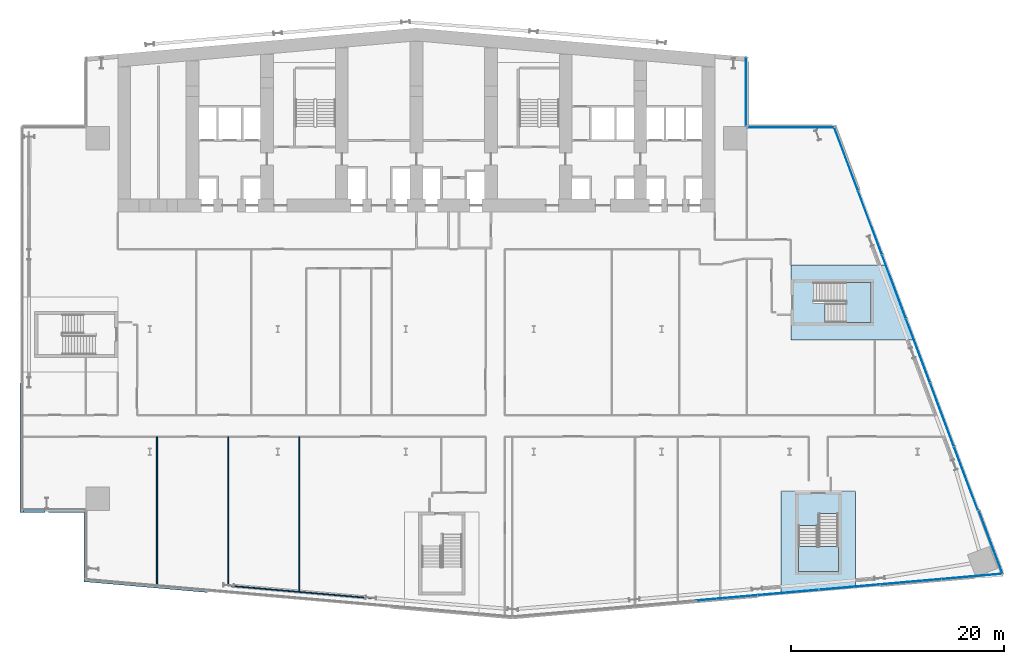
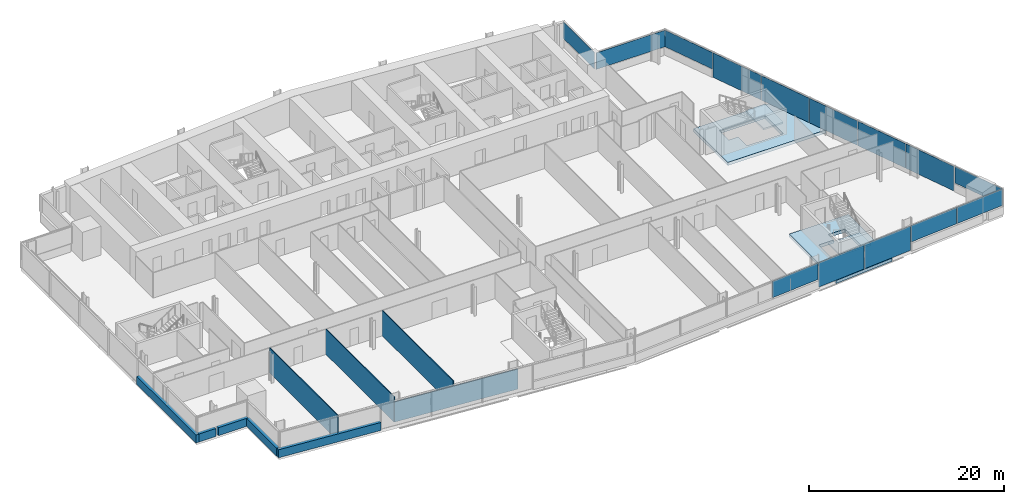
# One storey, part 12 of 24: 14 plates, 9 walls, 4 slabs, 6 elements without a shape of their own.
"""IFC4 building model written with IfcOpenShell, lengths in metres."""

from ifc_helpers import new_model, si_unit, direction, frame, frame_2d, origin, origin_2d, place, context, subcontext, project, spatial, polyline, rectangle, outline, extrude, material, layer, layer_set, type_object, element, aggregate, save


model = new_model("IFC4")

# Units and contexts
model_context = context("Model", 3, precision=1e-05, world=origin(), true_north=direction((0.0, 1.0)))
body_context = subcontext(model_context, "Body", "Model", "MODEL_VIEW")
ifc_project = project(units=[si_unit("LENGTHUNIT", "METRE"), si_unit("AREAUNIT", "SQUARE_METRE"), si_unit("VOLUMEUNIT", "CUBIC_METRE"), si_unit("PLANEANGLEUNIT", "RADIAN"), si_unit("MASSUNIT", "GRAM", prefix="KILO")], contexts=[model_context])

# Site, building, storey
site_placement = place(None, origin())
site = spatial("IfcSite", under=ifc_project, at=site_placement, CompositionType="ELEMENT")
building_placement = place(site_placement, origin())
building = spatial("IfcBuilding", under=site, at=building_placement, Name="Wharfspan Tower", CompositionType="ELEMENT")
storey_placement = place(building_placement, frame((0.0, 0.0, 88.300049)))
storey = spatial("IfcBuildingStorey", under=building, at=storey_placement, Name="L19", CompositionType="ELEMENT", Elevation=88.300049)

# Curtain wall, plates
ifc_material_1 = material(Name="Aluminium 6063-T6", Category="aluminium")
curtain_wall_type_1 = type_object("IfcCurtainWallType", Name="CURTAIN WALL FACETED FRONT", PredefinedType="NOTDEFINED", material=ifc_material_1)
curtain_wall_1_placement = place(storey_placement, origin())
curtain_wall_1 = element("IfcCurtainWall", 1, at=curtain_wall_1_placement, inside=storey, type_object=curtain_wall_type_1, Name="Curtain wall S2", PredefinedType="NOTDEFINED")
ifc_material_2 = material(Name="Glass clear low-iron double glazing", Category="glass")
ifc_layer_1 = layer(ifc_material_2, 0.040039)
ifc_layer_set_1 = layer_set([ifc_layer_1], Name="Glass clear low-iron double glazing")
plate_type_1 = type_object("IfcPlateType", Name="GLASS PANEL FACETED FRONT 40", PredefinedType="CURTAIN_PANEL", material=ifc_layer_set_1)
plate_1_placement = place(storey_placement, frame((66.119873, -2.204102, 1.0), z_axis=(0.0, 0.0, 1.0), x_axis=(0.996197, 0.087156, 0.0)))
plate_1 = element("IfcPlate", 2, at=plate_1_placement, type_object=plate_type_1, Name="Curtain wall S2 panel 4", PredefinedType="CURTAIN_PANEL", context=body_context, shape_type="SweptSolid", body=[
    extrude(rectangle(XDim=5.711914, YDim=0.040039, at=origin_2d()), origin(), (0.0, 0.0, 1.0), 2.070068),
])
plate_2_placement = place(storey_placement, frame((83.369873, -0.694824, 1.0), z_axis=(0.0, 0.0, 1.0), x_axis=(0.996197, 0.087156, 0.0)))
plate_2 = element("IfcPlate", 3, at=plate_2_placement, type_object=plate_type_1, Name="Curtain wall S2 panel 7", PredefinedType="CURTAIN_PANEL", context=body_context, shape_type="SweptSolid", body=[
    extrude(rectangle(XDim=5.711914, YDim=0.040039, at=origin_2d()), origin(), (0.0, 0.0, 1.0), 2.070068),
])
plate_3_placement = place(storey_placement, frame((89.104736, -0.193115, 1.0), z_axis=(0.0, 0.0, 1.0), x_axis=(0.996197, 0.087156, 0.0)))
plate_3 = element("IfcPlate", 4, at=plate_3_placement, type_object=plate_type_1, Name="Curtain wall S2 panel 8", PredefinedType="CURTAIN_PANEL", context=body_context, shape_type="SweptSolid", body=[
    extrude(rectangle(XDim=5.681885, YDim=0.040039, at=origin_2d()), origin(), (0.0, 0.0, 1.0), 2.070068),
])

curtain_wall_type_2 = type_object("IfcCurtainWallType", Name="CURTAIN WALL PROW AND END", PredefinedType="NOTDEFINED", material=ifc_material_1)
curtain_wall_2_placement = place(storey_placement, origin())
curtain_wall_2 = element("IfcCurtainWall", 5, at=curtain_wall_2_placement, inside=storey, type_object=curtain_wall_type_2, Name="Curtain wall E", PredefinedType="NOTDEFINED")
ifc_layer_2 = layer(ifc_material_2, 0.040039)
ifc_layer_set_2 = layer_set([ifc_layer_2], Name="Glass clear low-iron double glazing")
plate_type_2 = type_object("IfcPlateType", Name="GLASS PANEL PROW AND END 40", PredefinedType="CURTAIN_PANEL", material=ifc_layer_set_2)
plate_4_placement = place(storey_placement, frame((90.869629, 3.01416, 1.0), z_axis=(0.0, 0.0, 1.0), x_axis=(-0.351123, 0.936328, 0.0)))
plate_4 = element("IfcPlate", 6, at=plate_4_placement, type_object=plate_type_2, Name="Curtain wall E panel 1", PredefinedType="CURTAIN_PANEL", context=body_context, shape_type="SweptSolid", body=[
    extrude(rectangle(XDim=6.318115, YDim=0.040039, at=origin_2d()), origin(), (0.0, 0.0, 1.0), 2.070068),
])
plate_5_placement = place(storey_placement, frame((77.30542, 38.957764, 1.0), z_axis=(0.0, 0.0, 1.0), x_axis=(-0.351123, 0.936328, 0.0)))
plate_5 = element("IfcPlate", 7, at=plate_5_placement, type_object=plate_type_2, Name="Curtain wall E panel 7", PredefinedType="CURTAIN_PANEL", context=body_context, shape_type="SweptSolid", body=[
    extrude(rectangle(XDim=6.318115, YDim=0.040039, at=origin_2d()), origin(), (0.0, 0.0, 1.0), 2.070068),
])

# Curtain wall, plate
curtain_wall_3_placement = place(storey_placement, origin())
curtain_wall_3 = element("IfcCurtainWall", 8, at=curtain_wall_3_placement, inside=storey, type_object=curtain_wall_type_2, Name="Curtain wall NRE-H", PredefinedType="NOTDEFINED")
plate_6_placement = place(storey_placement, frame((72.125, 41.919922, 1.0), z_axis=(0.0, 0.0, 1.0), x_axis=(-1.0, 0.0, 0.0)))
plate_6 = element("IfcPlate", 9, at=plate_6_placement, type_object=plate_type_2, Name="Curtain wall NRE-H panel 1", PredefinedType="CURTAIN_PANEL", context=body_context, shape_type="SweptSolid", body=[
    extrude(rectangle(XDim=8.129883, YDim=0.040039, at=origin_2d()), origin(), (0.0, 0.0, 1.0), 2.070068),
])
aggregate(curtain_wall_3, [plate_6])

curtain_wall_4_placement = place(storey_placement, origin())
curtain_wall_4 = element("IfcCurtainWall", 10, at=curtain_wall_4_placement, inside=storey, type_object=curtain_wall_type_2, Name="Curtain wall NRE-V", PredefinedType="NOTDEFINED")
plate_7_placement = place(storey_placement, frame((67.919922, 45.262451, 1.0), z_axis=(0.0, 0.0, 1.0), x_axis=(0.0, 1.0, 0.0)))
plate_7 = element("IfcPlate", 11, at=plate_7_placement, type_object=plate_type_2, Name="Curtain wall NRE-V panel 1", PredefinedType="CURTAIN_PANEL", context=body_context, shape_type="SweptSolid", body=[
    extrude(rectangle(XDim=6.405029, YDim=0.040039, at=origin_2d()), origin(), (0.0, 0.0, 1.0), 2.070068),
])
aggregate(curtain_wall_4, [plate_7])

# Plate
ifc_material_3 = material(Name="Aluminium composite opaque insulated panel", Category="aluminium")
ifc_layer_3 = layer(ifc_material_3, 0.040039)
ifc_layer_set_3 = layer_set([ifc_layer_3], Name="Aluminium composite opaque insulated panel")
plate_type_3 = type_object("IfcPlateType", Name="INFILL PANEL FACETED FRONT OPAQUE 40", PredefinedType="SHEET", material=ifc_layer_set_3)
plate_8_placement = place(storey_placement, frame((71.869873, -1.700928, 0.0), z_axis=(0.0, 0.0, 1.0), x_axis=(0.996197, 0.087156, 0.0)))
plate_8 = element("IfcPlate", 12, at=plate_8_placement, type_object=plate_type_3, Name="Curtain wall S2 panel 5", PredefinedType="SHEET", context=body_context, shape_type="SweptSolid", body=[
    extrude(rectangle(XDim=5.711914, YDim=0.040039, at=origin_2d()), origin(), (0.0, 0.0, 1.0), 3.070068),
])

plate_9_placement = place(storey_placement, frame((77.619873, -1.197998, 0.0), z_axis=(0.0, 0.0, 1.0), x_axis=(0.996197, 0.087156, 0.0)))
plate_9 = element("IfcPlate", 13, at=plate_9_placement, type_object=plate_type_3, Name="Curtain wall S2 panel 6", PredefinedType="SHEET", context=body_context, shape_type="SweptSolid", body=[
    extrude(rectangle(XDim=5.711914, YDim=0.040039, at=origin_2d()), origin(), (0.0, 0.0, 1.0), 3.070068),
])

aggregate(curtain_wall_1, [plate_1, plate_8, plate_9, plate_2, plate_3])

ifc_layer_4 = layer(ifc_material_3, 0.040039)
ifc_layer_set_4 = layer_set([ifc_layer_4], Name="Aluminium composite opaque insulated panel")
plate_type_4 = type_object("IfcPlateType", Name="INFILL PANEL PROW AND END OPAQUE 40", PredefinedType="SHEET", material=ifc_layer_set_4)
plate_10_placement = place(storey_placement, frame((88.550049, 8.971924, 0.0), z_axis=(0.0, 0.0, 1.0), x_axis=(-0.351123, 0.936328, 0.0)))
plate_10 = element("IfcPlate", 14, at=plate_10_placement, type_object=plate_type_4, Name="Curtain wall E panel 2", PredefinedType="SHEET", context=body_context, shape_type="SweptSolid", body=[
    extrude(rectangle(XDim=6.3479, YDim=0.040039, at=origin_2d()), origin(), (0.0, 0.0, 1.0), 3.070068),
])

plate_11_placement = place(storey_placement, frame((86.300049, 14.971924, 0.0), z_axis=(0.0, 0.0, 1.0), x_axis=(-0.351123, 0.936328, 0.0)))
plate_11 = element("IfcPlate", 15, at=plate_11_placement, type_object=plate_type_4, Name="Curtain wall E panel 3", PredefinedType="SHEET", context=body_context, shape_type="SweptSolid", body=[
    extrude(rectangle(XDim=6.3479, YDim=0.040039, at=origin_2d()), origin(), (0.0, 0.0, 1.0), 3.070068),
])

plate_12_placement = place(storey_placement, frame((84.050049, 20.971924, 0.0), z_axis=(0.0, 0.0, 1.0), x_axis=(-0.351123, 0.936328, 0.0)))
plate_12 = element("IfcPlate", 16, at=plate_12_placement, type_object=plate_type_4, Name="Curtain wall E panel 4", PredefinedType="SHEET", context=body_context, shape_type="SweptSolid", body=[
    extrude(rectangle(XDim=6.3479, YDim=0.040039, at=origin_2d()), origin(), (0.0, 0.0, 1.0), 3.070068),
])

plate_13_placement = place(storey_placement, frame((81.800049, 26.971924, 0.0), z_axis=(0.0, 0.0, 1.0), x_axis=(-0.351123, 0.936328, 0.0)))
plate_13 = element("IfcPlate", 17, at=plate_13_placement, type_object=plate_type_4, Name="Curtain wall E panel 5", PredefinedType="SHEET", context=body_context, shape_type="SweptSolid", body=[
    extrude(rectangle(XDim=6.3479, YDim=0.040039, at=origin_2d()), origin(), (0.0, 0.0, 1.0), 3.070068),
])

plate_14_placement = place(storey_placement, frame((79.550049, 32.971924, 0.0), z_axis=(0.0, 0.0, 1.0), x_axis=(-0.351123, 0.936328, 0.0)))
plate_14 = element("IfcPlate", 18, at=plate_14_placement, type_object=plate_type_4, Name="Curtain wall E panel 6", PredefinedType="SHEET", context=body_context, shape_type="SweptSolid", body=[
    extrude(rectangle(XDim=6.3479, YDim=0.040039, at=origin_2d()), origin(), (0.0, 0.0, 1.0), 3.070068),
])

aggregate(curtain_wall_2, [plate_4, plate_10, plate_11, plate_12, plate_13, plate_14, plate_5])

# Slabs
ifc_material_4 = material(Name="Concrete C40/50", Category="concrete")
ifc_layer_5 = layer(ifc_material_4, 0.399902)
ifc_layer_set_5 = layer_set([ifc_layer_5], Name="Concrete C40/50")
slab_type_1 = type_object("IfcSlabType", Name="Post-tensioned flat slab 400", PredefinedType="FLOOR", material=ifc_layer_set_5)
slab_1_placement = place(storey_placement, frame((0.0, 0.0, -0.400146)))
element("IfcSlab", 19, at=slab_1_placement, inside=storey, type_object=slab_type_1, Name="Core floor slab L19 part 5", PredefinedType="FLOOR", context=body_context, shape_type="SweptSolid", body=[
    extrude(outline(polyline([(78.192383, 7.791992), (76.867432, 7.791992), (72.517578, 7.791992), (71.192383, 7.791992), (71.192383, -1.820312), (78.192383, -1.208008), (78.192383, 7.791992)]), holes=[polyline([(76.567627, 5.694092), (76.567871, 5.694092), (76.568115, 5.693848), (76.568115, 5.693848), (76.568359, 5.693848), (76.568604, 5.693604), (76.568604, 5.693604), (76.568848, 5.693359), (76.569092, 5.693359), (76.569092, 5.693115), (76.569092, 5.692871), (76.569336, 5.692871), (76.569336, 5.692627), (76.569336, 5.692383), (76.56958, 5.692139), (76.56958, 5.691895), (76.56958, 0.291992), (76.56958, 0.291748), (76.569336, 0.291504), (76.569336, 0.291504), (76.569336, 0.29126), (76.569092, 0.291016), (76.569092, 0.291016), (76.569092, 0.290771), (76.568848, 0.290527), (76.568604, 0.290527), (76.568604, 0.290283), (76.568359, 0.290283), (76.568115, 0.290283), (76.568115, 0.290039), (76.567871, 0.290039), (76.567627, 0.290039), (76.567383, 0.290039), (72.817383, 0.290039), (72.817383, 0.290039), (72.817139, 0.290039), (72.816895, 0.290039), (72.81665, 0.290283), (72.816406, 0.290283), (72.816406, 0.290283), (72.816162, 0.290527), (72.816162, 0.290527), (72.815918, 0.290771), (72.815918, 0.291016), (72.815674, 0.291016), (72.815674, 0.29126), (72.815674, 0.291504), (72.81543, 0.291504), (72.81543, 0.291748), (72.81543, 0.291992), (72.81543, 5.691895), (72.81543, 5.692139), (72.81543, 5.692383), (72.815674, 5.692627), (72.815674, 5.692871), (72.815674, 5.692871), (72.815918, 5.693115), (72.815918, 5.693359), (72.816162, 5.693359), (72.816162, 5.693604), (72.816406, 5.693604), (72.816406, 5.693848), (72.816406, 4.571045), (74.618408, 4.571045), (74.618408, 5.694092), (76.567383, 5.694092), (76.567627, 5.694092)])]), origin(), (0.0, 0.0, 1.0), 0.400146),
])
slab_2_placement = place(storey_placement, frame((0.0, 0.0, -0.400146)))
element("IfcSlab", 20, at=slab_2_placement, inside=storey, type_object=slab_type_1, Name="Core floor slab L19 part 6", PredefinedType="FLOOR", context=body_context, shape_type="SweptSolid", body=[
    extrude(outline(polyline([(81.125, 29.0), (72.125, 29.0), (72.125, 27.675049), (72.125, 23.324951), (72.125, 22.0), (83.75, 22.0), (81.125, 29.0)]), holes=[polyline([(74.2229, 27.375244), (74.2229, 27.375488), (74.223145, 27.375488), (74.223145, 27.375732), (74.223145, 27.375977), (74.223389, 27.376221), (74.223389, 27.376221), (74.223633, 27.376465), (74.223633, 27.376465), (74.223877, 27.376709), (74.224121, 27.376709), (74.224121, 27.376709), (74.224365, 27.376953), (74.224609, 27.376953), (74.224854, 27.376953), (74.225098, 27.376953), (79.625, 27.376953), (79.625244, 27.376953), (79.625488, 27.376953), (79.625488, 27.376953), (79.625732, 27.376709), (79.625977, 27.376709), (79.626221, 27.376709), (79.626221, 27.376465), (79.626465, 27.376465), (79.626465, 27.376221), (79.626709, 27.376221), (79.626709, 27.375977), (79.626709, 27.375732), (79.626953, 27.375488), (79.626953, 27.375488), (79.626953, 27.375244), (79.626953, 27.375), (79.626953, 23.625), (79.626953, 23.624756), (79.626953, 23.624512), (79.626953, 23.624512), (79.626709, 23.624268), (79.626709, 23.624023), (79.626709, 23.623779), (79.626465, 23.623779), (79.626465, 23.623535), (79.626221, 23.623535), (79.626221, 23.623291), (79.625977, 23.623291), (79.625732, 23.623291), (79.625488, 23.623047), (79.625488, 23.623047), (79.625244, 23.623047), (79.625, 23.623047), (74.225098, 23.623047), (74.224854, 23.623047), (74.224609, 23.623047), (74.224365, 23.623047), (74.224121, 23.623291), (74.224121, 23.623291), (74.223877, 23.623291), (74.223633, 23.623535), (74.223633, 23.623535), (74.223389, 23.623779), (74.223389, 23.623779), (74.223389, 23.624023), (75.345947, 23.624023), (75.345947, 25.426025), (74.2229, 25.426025), (74.2229, 27.375), (74.2229, 27.375244)])]), origin(), (0.0, 0.0, 1.0), 0.400146),
])

# Stair, slab
stair_type = type_object("IfcStairType", Name="Half-turn stair 20 risers 180 mm", PredefinedType="HALF_TURN_STAIR", material=ifc_material_4)
stair_1_placement = place(storey_placement, origin())
stair_1 = element("IfcStair", 21, at=stair_1_placement, inside=storey, type_object=stair_type, Name="L19 stair ST5", PredefinedType="HALF_TURN_STAIR")
ifc_layer_6 = layer(ifc_material_4, 0.199951)
ifc_layer_set_6 = layer_set([ifc_layer_6], Name="Concrete C40/50")
slab_type_2 = type_object("IfcSlabType", Name="Stair landing 200", PredefinedType="LANDING", material=ifc_layer_set_6)
slab_3_placement = place(storey_placement, frame((0.0, 0.0, 1.239746)))
slab_3 = element("IfcSlab", 22, at=slab_3_placement, type_object=slab_type_2, Name="ST5 landing 1", PredefinedType="LANDING", context=body_context, shape_type="SweptSolid", body=[
    extrude(outline(polyline([(72.817383, 2.612061), (72.817383, 0.291992), (76.567383, 0.291992), (76.567383, 2.612061), (72.817383, 2.612061)])), origin(), (0.0, 0.0, 1.0), 0.200195),
])
aggregate(stair_1, [slab_3])

stair_2_placement = place(storey_placement, origin())
stair_2 = element("IfcStair", 23, at=stair_2_placement, inside=storey, type_object=stair_type, Name="L19 stair ST6", PredefinedType="HALF_TURN_STAIR")
slab_4_placement = place(storey_placement, frame((0.0, 0.0, 1.239746)))
slab_4 = element("IfcSlab", 24, at=slab_4_placement, type_object=slab_type_2, Name="ST6 landing 1", PredefinedType="LANDING", context=body_context, shape_type="SweptSolid", body=[
    extrude(outline(polyline([(77.304932, 23.625), (79.625, 23.625), (79.625, 27.375), (77.304932, 27.375), (77.304932, 23.625)])), origin(), (0.0, 0.0, 1.0), 0.200195),
])
aggregate(stair_2, [slab_4])

# Walls
ifc_material_5 = material(Name="Gypsum board on steel studs", Category="steel")
ifc_layer_7 = layer(ifc_material_5, 0.100098)
ifc_layer_set_7 = layer_set([ifc_layer_7], Name="Gypsum board on steel studs")
wall_type_1 = type_object("IfcWallType", Name="Compartment wall 100 EI 60", PredefinedType="PARTITIONING", material=ifc_layer_set_7)
wall_1_placement = place(storey_placement, frame((12.669922, -1.088379, 0.0), z_axis=(0.0, 0.0, 1.0), x_axis=(0.0, 1.0, 0.0)))
element("IfcWall", 25, at=wall_1_placement, inside=storey, type_object=wall_type_1, Name="Partition L19.w014", PredefinedType="PARTITIONING", context=body_context, shape_type="SweptSolid", body=[
    extrude(rectangle(XDim=14.013428, YDim=0.100098, at=frame_2d((7.006836, 0.0))), origin(), (0.0, 0.0, 1.0), 3.149902),
])
wall_2_placement = place(storey_placement, frame((19.334961, -1.060059, 0.0), z_axis=(0.0, 0.0, 1.0), x_axis=(0.0, 1.0, 0.0)))
element("IfcWall", 26, at=wall_2_placement, inside=storey, type_object=wall_type_1, Name="Partition L19.w016", PredefinedType="PARTITIONING", context=body_context, shape_type="SweptSolid", body=[
    extrude(rectangle(XDim=13.985107, YDim=0.100098, at=frame_2d((6.992676, 0.0))), origin(), (0.0, 0.0, 1.0), 3.149902),
])
wall_3_placement = place(storey_placement, frame((26.0, -1.64502, 0.0), z_axis=(0.0, 0.0, 1.0), x_axis=(0.0, 1.0, 0.0)))
element("IfcWall", 27, at=wall_3_placement, inside=storey, type_object=wall_type_1, Name="Partition L19.w018", PredefinedType="PARTITIONING", context=body_context, shape_type="SweptSolid", body=[
    extrude(rectangle(XDim=14.570068, YDim=0.100098, at=frame_2d((7.285156, 0.0))), origin(), (0.0, 0.0, 1.0), 3.149902),
])
ifc_layer_8 = layer(ifc_material_5, 0.100098)
ifc_layer_set_8 = layer_set([ifc_layer_8], Name="Gypsum board on steel studs")
wall_type_2 = type_object("IfcWallType", Name="Partition 100", PredefinedType="PARTITIONING", material=ifc_layer_set_8)
wall_4_placement = place(storey_placement, frame((33.219971, -2.274902, 0.0), z_axis=(0.0, 0.0, 1.0), x_axis=(-0.996218, 0.086914, 0.0)))
element("IfcWall", 28, at=wall_4_placement, inside=storey, type_object=wall_type_2, Name="Partition L19.w023", PredefinedType="PARTITIONING", context=body_context, shape_type="SweptSolid", body=[
    extrude(rectangle(XDim=13.938232, YDim=0.100098, at=frame_2d((6.969238, 0.0))), origin(), (0.0, 0.0, 1.0), 2.530029),
])
ifc_layer_9 = layer(ifc_material_4, 0.350098)
ifc_layer_set_9 = layer_set([ifc_layer_9], Name="Concrete C40/50")
wall_type_3 = type_object("IfcWallType", Name="SPANDREL EXPOSED CONCRETE 350", PredefinedType="SOLIDWALL", material=ifc_layer_set_9)
wall_5_placement = place(storey_placement, frame((5.835205, -0.515625, 0.0), z_axis=(0.0, 0.0, 1.0), x_axis=(0.996192, -0.087142, 0.0)))
element("IfcWall", 29, at=wall_5_placement, inside=storey, type_object=wall_type_3, Name="Spandrel upstand L19 S1 1", PredefinedType="SOLIDWALL", context=body_context, shape_type="SweptSolid", body=[
    extrude(rectangle(XDim=11.607178, YDim=0.350098, at=frame_2d((5.803711, 0.0))), origin(), (0.0, 0.0, 1.0), 1.0),
])
wall_6_placement = place(storey_placement, frame((-0.004883, 17.969971, 0.0), z_axis=(0.0, 0.0, 1.0), x_axis=(0.0, -1.0, 0.0)))
element("IfcWall", 30, at=wall_6_placement, inside=storey, type_object=wall_type_3, Name="Spandrel upstand L19 W", PredefinedType="SOLIDWALL", context=body_context, shape_type="SweptSolid", body=[
    extrude(rectangle(XDim=12.149902, YDim=0.350098, at=frame_2d((6.074951, 0.0))), origin(), (0.0, 0.0, 1.0), 1.0),
])
wall_7_placement = place(storey_placement, frame((0.169922, 5.995117, 0.0), z_axis=(0.0, 0.0, 1.0), x_axis=(1.0, 0.0, 0.0)))
element("IfcWall", 31, at=wall_7_placement, inside=storey, type_object=wall_type_3, Name="Spandrel upstand L19 NFW-H", PredefinedType="SOLIDWALL", context=body_context, shape_type="SweptSolid", body=[
    extrude(rectangle(XDim=2.010742, YDim=0.350098, at=frame_2d((1.005371, 0.0))), origin(), (0.0, 0.0, 1.0), 1.0),
])
wall_8_placement = place(storey_placement, frame((2.482666, 5.995117, 0.0), z_axis=(0.0, 0.0, 1.0), x_axis=(1.0, 0.0, 0.0)))
element("IfcWall", 32, at=wall_8_placement, inside=storey, type_object=wall_type_3, Name="Spandrel upstand L19 NFW-H 2", PredefinedType="SOLIDWALL", context=body_context, shape_type="SweptSolid", body=[
    extrude(rectangle(XDim=3.517334, YDim=0.350098, at=frame_2d((1.758789, 0.0))), origin(), (0.0, 0.0, 1.0), 1.0),
])
wall_9_placement = place(storey_placement, frame((5.995117, 5.820068, 0.0), z_axis=(0.0, 0.0, 1.0), x_axis=(0.0, -1.0, 0.0)))
element("IfcWall", 33, at=wall_9_placement, inside=storey, type_object=wall_type_3, Name="Spandrel upstand L19 NFW-V", PredefinedType="SOLIDWALL", context=body_context, shape_type="SweptSolid", body=[
    extrude(rectangle(XDim=6.161377, YDim=0.350098, at=frame_2d((3.080566, 0.0))), origin(), (0.0, 0.0, 1.0), 1.0),
])

save(model, "model.ifc")
